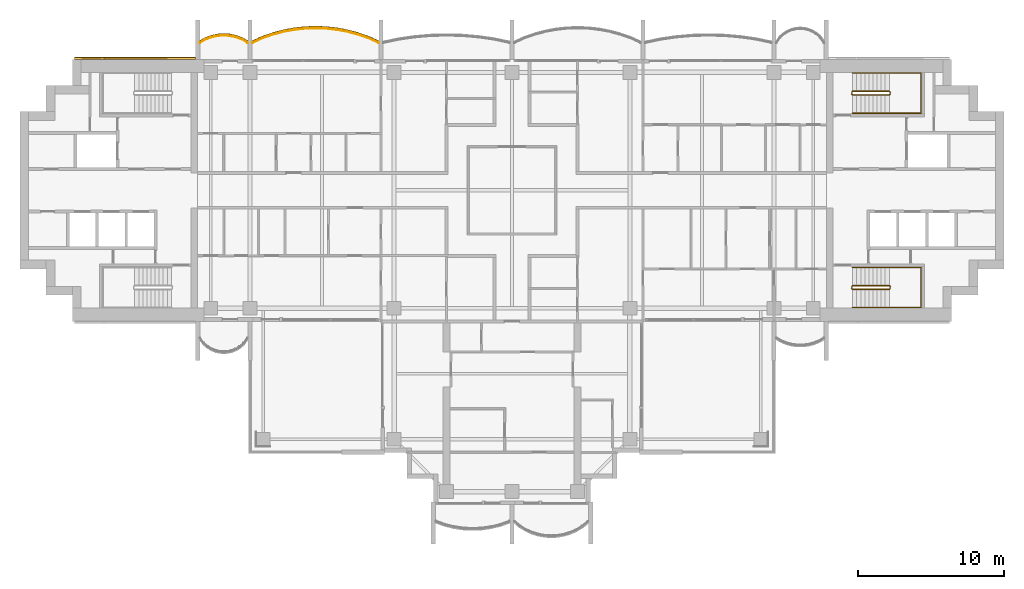
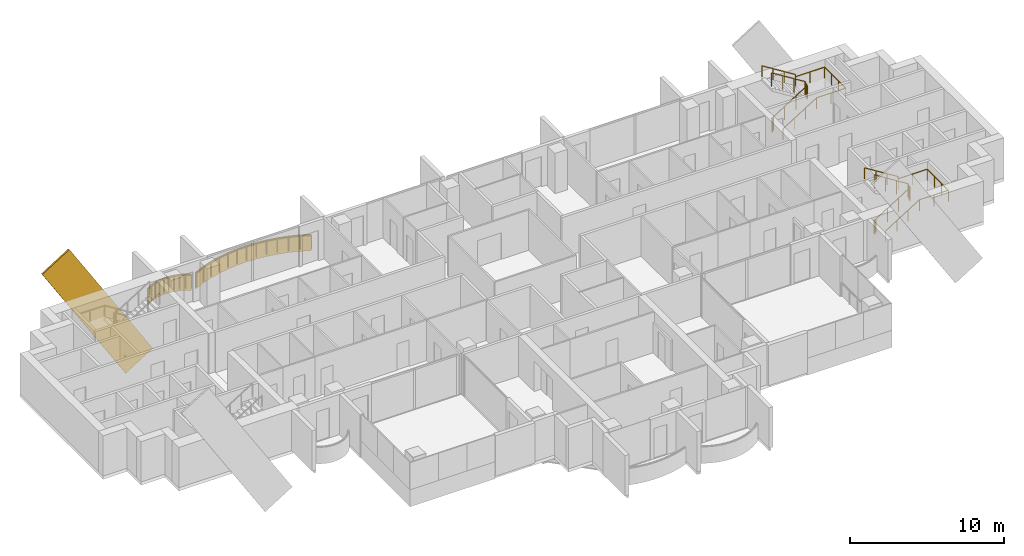
# One storey, part 17 of 18: 6 railings, 3 coverings.
"""IFC4 building model written with IfcOpenShell, lengths in metres."""

from ifc_helpers import new_model, si_unit, direction, frame, origin, origin_2d, place, context, subcontext, project, spatial, polyline, rectangle, outline, extrude, material, layer, layer_set, material_profile, profile_set, type_object, element, save


model = new_model("IFC4")

# Units and contexts
model_context = context("Model", 3, precision=1e-05, world=origin(), true_north=direction((0.0, 1.0)))
body_context = subcontext(model_context, "Body", "Model", "MODEL_VIEW")
ifc_project = project(units=[si_unit("LENGTHUNIT", "METRE"), si_unit("AREAUNIT", "SQUARE_METRE"), si_unit("VOLUMEUNIT", "CUBIC_METRE"), si_unit("PLANEANGLEUNIT", "RADIAN"), si_unit("MASSUNIT", "GRAM", prefix="KILO")], contexts=[model_context])

# Site, building, storey
site_placement = place(None, origin())
site = spatial("IfcSite", under=ifc_project, at=site_placement, CompositionType="ELEMENT")
building_placement = place(site_placement, origin())
building = spatial("IfcBuilding", under=site, at=building_placement, Name="Perihelion Cross Residences", CompositionType="ELEMENT")
storey_placement = place(building_placement, frame((0.0, 0.0, 219.10009765625)))
storey = spatial("IfcBuildingStorey", under=building, at=storey_placement, Name="L55", CompositionType="ELEMENT", Elevation=219.10009765625)

# Coverings
ifc_material_1 = material(Name="Bronze anodised aluminium", Category="aluminium")
ifc_layer = layer(ifc_material_1, 0.070068359375)
ifc_layer_set = layer_set([ifc_layer], Name="Balcony fascia 1300")
covering_type_1 = type_object("IfcCoveringType", Name="Balcony fascia 1300", PredefinedType="CLADDING", material=ifc_layer_set)
covering_1_placement = place(storey_placement, frame((0.0, 0.0, -0.2001953125)))
element("IfcCovering", 1, at=covering_1_placement, inside=storey, type_object=covering_type_1, Name="Fascia BF1 L55 west side north bay 1", PredefinedType="CLADDING", context=body_context, shape_type="SweptSolid", body=[
    extrude(outline(polyline([(-9.849365234375, 10.582275390625), (-10.57958984375, 10.83544921875), (-11.309814453125, 11.028076171875), (-12.039794921875, 11.1630859375), (-12.77001953125, 11.243408203125), (-13.5, 11.27001953125), (-14.22998046875, 11.243408203125), (-14.960205078125, 11.1630859375), (-15.690185546875, 11.028076171875), (-16.42041015625, 10.83544921875), (-17.150634765625, 10.582275390625), (-17.85009765625, 10.2763671875), (-17.85009765625, 10.199951171875), (-17.125, 10.51708984375), (-16.39990234375, 10.7685546875), (-15.675048828125, 10.959716796875), (-14.949951171875, 11.093994140625), (-14.22509765625, 11.173583984375), (-13.5, 11.199951171875), (-12.77490234375, 11.173583984375), (-12.050048828125, 11.093994140625), (-11.324951171875, 10.959716796875), (-10.60009765625, 10.7685546875), (-9.875, 10.51708984375), (-9.14990234375, 10.199951171875), (-9.14990234375, 10.2763671875), (-9.849365234375, 10.582275390625)])), origin(), (0.0, 0.0, 1.0), 1.300048828125),
])
covering_2_placement = place(storey_placement, frame((0.0, 0.0, -0.2001953125)))
element("IfcCovering", 2, at=covering_2_placement, inside=storey, type_object=covering_type_1, Name="Fascia BF1 L55 west side north bay 2", PredefinedType="CLADDING", context=body_context, shape_type="SweptSolid", body=[
    extrude(outline(polyline([(-18.486328125, 10.4716796875), (-18.861572265625, 10.62158203125), (-19.237060546875, 10.717529296875), (-19.6123046875, 10.76416015625), (-19.987548828125, 10.76416015625), (-20.363037109375, 10.717529296875), (-20.73828125, 10.62158203125), (-21.11376953125, 10.4716796875), (-21.449951171875, 10.280517578125), (-21.449951171875, 10.199951171875), (-21.083251953125, 10.40869140625), (-20.716552734375, 10.55517578125), (-20.35009765625, 10.648681640625), (-19.9833984375, 10.6943359375), (-19.61669921875, 10.6943359375), (-19.25, 10.648681640625), (-18.88330078125, 10.55517578125), (-18.5166015625, 10.40869140625), (-18.14990234375, 10.199951171875), (-18.14990234375, 10.280517578125), (-18.486328125, 10.4716796875)])), origin(), (0.0, 0.0, 1.0), 1.300048828125),
])

# Railings
ifc_material_2 = material(Name="Bronze anodised aluminium", Category="aluminium")
railing_type_1 = type_object("IfcRailingType", Name="Balcony guard 1100", PredefinedType="GUARDRAIL", material=ifc_material_2)
railing_1_placement = place(storey_placement, frame((-9.175048828125, 10.139892578125, 0.0)))
element("IfcRailing", 3, at=railing_1_placement, inside=storey, type_object=railing_type_1, Name="Guard GU1 L55 west side north bay 1 balcony", PredefinedType="GUARDRAIL", context=body_context, shape_type="SweptSolid", body=[
    extrude(rectangle(XDim=0.048095703125, YDim=0.048095703125, at=origin_2d()), frame((0.0, 0.0, 1.076171875), z_axis=(-0.910866309087, 0.412701547089, 0.0), x_axis=(-0.412701547089, -0.910866309087, 0.0)), (0.0, 0.0, 1.0), 0.7685546875),
    extrude(rectangle(XDim=0.048095703125, YDim=0.048095703125, at=origin_2d()), frame((-0.699951171875, 0.317138671875, 1.076171875), z_axis=(-0.944796812452, 0.327656807012, 0.0), x_axis=(-0.327656807012, -0.944796812452, 0.0)), (0.0, 0.0, 1.0), 0.767578125),
    extrude(rectangle(XDim=0.048095703125, YDim=0.048095703125, at=origin_2d()), frame((-1.425048828125, 0.568603515625, 1.076171875), z_axis=(-0.966939404945, 0.255006249266, 0.0), x_axis=(-0.255006249266, -0.966939404945, 0.0)), (0.0, 0.0, 1.0), 0.749755859375),
    extrude(rectangle(XDim=0.048095703125, YDim=0.048095703125, at=origin_2d()), frame((-2.14990234375, 0.759765625, 1.076171875), z_axis=(-0.983282004984, 0.182089260182, 0.0), x_axis=(-0.182089260182, -0.983282004984, 0.0)), (0.0, 0.0, 1.0), 0.7373046875),
    extrude(rectangle(XDim=0.048095703125, YDim=0.048095703125, at=origin_2d()), frame((-2.875, 0.89404296875, 1.076171875), z_axis=(-0.994025805622, 0.109145305703, 0.0), x_axis=(-0.109145305703, -0.994025805622, 0.0)), (0.0, 0.0, 1.0), 0.729248046875),
    extrude(rectangle(XDim=0.048095703125, YDim=0.048095703125, at=origin_2d()), frame((-3.599853515625, 0.9736328125, 1.076171875), z_axis=(-0.999339497946, 0.036339618107, 0.0), x_axis=(-0.036339618107, -0.999339497946, 0.0)), (0.0, 0.0, 1.0), 0.7255859375),
    extrude(rectangle(XDim=0.048095703125, YDim=0.048095703125, at=origin_2d()), frame((-4.324951171875, 1.0, 1.076171875), z_axis=(-0.999339497946, -0.036339618107, 0.0), x_axis=(0.036339618107, -0.999339497946, 0.0)), (0.0, 0.0, 1.0), 0.7255859375),
    extrude(rectangle(XDim=0.048095703125, YDim=0.048095703125, at=origin_2d()), frame((-5.050048828125, 0.9736328125, 1.076171875), z_axis=(-0.994025805622, -0.109145305703, 0.0), x_axis=(0.109145305703, -0.994025805622, 0.0)), (0.0, 0.0, 1.0), 0.729248046875),
    extrude(rectangle(XDim=0.048095703125, YDim=0.048095703125, at=origin_2d()), frame((-5.77490234375, 0.89404296875, 1.076171875), z_axis=(-0.983282004984, -0.182089260182, 0.0), x_axis=(0.182089260182, -0.983282004984, 0.0)), (0.0, 0.0, 1.0), 0.7373046875),
    extrude(rectangle(XDim=0.048095703125, YDim=0.048095703125, at=origin_2d()), frame((-6.5, 0.759765625, 1.076171875), z_axis=(-0.966939404945, -0.255006249266, 0.0), x_axis=(0.255006249266, -0.966939404945, 0.0)), (0.0, 0.0, 1.0), 0.749755859375),
    extrude(rectangle(XDim=0.048095703125, YDim=0.048095703125, at=origin_2d()), frame((-7.224853515625, 0.568603515625, 1.076171875), z_axis=(-0.944796812452, -0.327656807012, 0.0), x_axis=(0.327656807012, -0.944796812452, 0.0)), (0.0, 0.0, 1.0), 0.767578125),
    extrude(rectangle(XDim=0.048095703125, YDim=0.048095703125, at=origin_2d()), frame((-7.949951171875, 0.317138671875, 1.076171875), z_axis=(-0.910866309087, -0.412701547089, 0.0), x_axis=(0.412701547089, -0.910866309087, 0.0)), (0.0, 0.0, 1.0), 0.7685546875),
    extrude(rectangle(XDim=0.0419921875, YDim=0.0419921875, at=origin_2d()), origin(), (0.0, 0.0, 1.0), 1.052001953125),
    extrude(rectangle(XDim=0.0419921875, YDim=0.0419921875, at=origin_2d()), frame((-0.699951171875, 0.317138671875, 0.0)), (0.0, 0.0, 1.0), 1.052001953125),
    extrude(rectangle(XDim=0.0419921875, YDim=0.0419921875, at=origin_2d()), frame((-1.425048828125, 0.568603515625, 0.0)), (0.0, 0.0, 1.0), 1.052001953125),
    extrude(rectangle(XDim=0.0419921875, YDim=0.0419921875, at=origin_2d()), frame((-2.14990234375, 0.759765625, 0.0)), (0.0, 0.0, 1.0), 1.052001953125),
    extrude(rectangle(XDim=0.0419921875, YDim=0.0419921875, at=origin_2d()), frame((-2.875, 0.89404296875, 0.0)), (0.0, 0.0, 1.0), 1.052001953125),
    extrude(rectangle(XDim=0.0419921875, YDim=0.0419921875, at=origin_2d()), frame((-3.599853515625, 0.9736328125, 0.0)), (0.0, 0.0, 1.0), 1.052001953125),
    extrude(rectangle(XDim=0.0419921875, YDim=0.0419921875, at=origin_2d()), frame((-4.324951171875, 1.0, 0.0)), (0.0, 0.0, 1.0), 1.052001953125),
    extrude(rectangle(XDim=0.0419921875, YDim=0.0419921875, at=origin_2d()), frame((-5.050048828125, 0.9736328125, 0.0)), (0.0, 0.0, 1.0), 1.052001953125),
    extrude(rectangle(XDim=0.0419921875, YDim=0.0419921875, at=origin_2d()), frame((-5.77490234375, 0.89404296875, 0.0)), (0.0, 0.0, 1.0), 1.052001953125),
    extrude(rectangle(XDim=0.0419921875, YDim=0.0419921875, at=origin_2d()), frame((-6.5, 0.759765625, 0.0)), (0.0, 0.0, 1.0), 1.052001953125),
    extrude(rectangle(XDim=0.0419921875, YDim=0.0419921875, at=origin_2d()), frame((-7.224853515625, 0.568603515625, 0.0)), (0.0, 0.0, 1.0), 1.052001953125),
    extrude(rectangle(XDim=0.0419921875, YDim=0.0419921875, at=origin_2d()), frame((-7.949951171875, 0.317138671875, 0.0)), (0.0, 0.0, 1.0), 1.052001953125),
    extrude(rectangle(XDim=0.0419921875, YDim=0.0419921875, at=origin_2d()), frame((-8.64990234375, 0.0, 0.0)), (0.0, 0.0, 1.0), 1.052001953125),
])
railing_2_placement = place(storey_placement, frame((-18.175048828125, 10.139892578125, 0.0)))
element("IfcRailing", 4, at=railing_2_placement, inside=storey, type_object=railing_type_1, Name="Guard GU1 L55 west side north bay 2 balcony", PredefinedType="GUARDRAIL", context=body_context, shape_type="SweptSolid", body=[
    extrude(rectangle(XDim=0.048095703125, YDim=0.048095703125, at=origin_2d()), frame((0.0, 0.0, 1.076171875), z_axis=(-0.853266756821, 0.52147467983, 0.0), x_axis=(-0.52147467983, -0.853266756821, 0.0)), (0.0, 0.0, 1.0), 0.400390625),
    extrude(rectangle(XDim=0.048095703125, YDim=0.048095703125, at=origin_2d()), frame((-0.341552734375, 0.208740234375, 1.076171875), z_axis=(-0.928647151248, 0.37096424151, 0.0), x_axis=(-0.37096424151, -0.928647151248, 0.0)), (0.0, 0.0, 1.0), 0.394775390625),
    extrude(rectangle(XDim=0.048095703125, YDim=0.048095703125, at=origin_2d()), frame((-0.708251953125, 0.355224609375, 1.076171875), z_axis=(-0.968993337782, 0.247086849781, 0.0), x_axis=(-0.247086849781, -0.968993337782, 0.0)), (0.0, 0.0, 1.0), 0.37841796875),
    extrude(rectangle(XDim=0.048095703125, YDim=0.048095703125, at=origin_2d()), frame((-1.074951171875, 0.44873046875, 1.076171875), z_axis=(-0.992338742457, 0.123546834114, 0.0), x_axis=(-0.123546834114, -0.992338742457, 0.0)), (0.0, 0.0, 1.0), 0.36962890625),
    extrude(rectangle(XDim=0.048095703125, YDim=0.048095703125, at=origin_2d()), frame((-1.441650390625, 0.494384765625, 1.076171875), z_axis=(-1.0, 0.0, 0.0), x_axis=(0.0, -1.0, 0.0)), (0.0, 0.0, 1.0), 0.36669921875),
    extrude(rectangle(XDim=0.048095703125, YDim=0.048095703125, at=origin_2d()), frame((-1.808349609375, 0.494384765625, 1.076171875), z_axis=(-0.992338742457, -0.123546834114, 0.0), x_axis=(0.123546834114, -0.992338742457, 0.0)), (0.0, 0.0, 1.0), 0.36962890625),
    extrude(rectangle(XDim=0.048095703125, YDim=0.048095703125, at=origin_2d()), frame((-2.175048828125, 0.44873046875, 1.076171875), z_axis=(-0.968953914071, -0.247241405123, 0.0), x_axis=(0.247241405123, -0.968953914071, 0.0)), (0.0, 0.0, 1.0), 0.378173828125),
    extrude(rectangle(XDim=0.048095703125, YDim=0.048095703125, at=origin_2d()), frame((-2.54150390625, 0.355224609375, 1.076171875), z_axis=(-0.928647151248, -0.37096424151, 0.0), x_axis=(0.37096424151, -0.928647151248, 0.0)), (0.0, 0.0, 1.0), 0.394775390625),
    extrude(rectangle(XDim=0.048095703125, YDim=0.048095703125, at=origin_2d()), frame((-2.908203125, 0.208740234375, 1.076171875), z_axis=(-0.853432484338, -0.521203410078, 0.0), x_axis=(0.521203410078, -0.853432484338, 0.0)), (0.0, 0.0, 1.0), 0.400390625),
    extrude(rectangle(XDim=0.0419921875, YDim=0.0419921875, at=origin_2d()), origin(), (0.0, 0.0, 1.0), 1.052001953125),
    extrude(rectangle(XDim=0.0419921875, YDim=0.0419921875, at=origin_2d()), frame((-0.341552734375, 0.208740234375, 0.0)), (0.0, 0.0, 1.0), 1.052001953125),
    extrude(rectangle(XDim=0.0419921875, YDim=0.0419921875, at=origin_2d()), frame((-0.708251953125, 0.355224609375, 0.0)), (0.0, 0.0, 1.0), 1.052001953125),
    extrude(rectangle(XDim=0.0419921875, YDim=0.0419921875, at=origin_2d()), frame((-1.074951171875, 0.44873046875, 0.0)), (0.0, 0.0, 1.0), 1.052001953125),
    extrude(rectangle(XDim=0.0419921875, YDim=0.0419921875, at=origin_2d()), frame((-1.441650390625, 0.494384765625, 0.0)), (0.0, 0.0, 1.0), 1.052001953125),
    extrude(rectangle(XDim=0.0419921875, YDim=0.0419921875, at=origin_2d()), frame((-1.808349609375, 0.494384765625, 0.0)), (0.0, 0.0, 1.0), 1.052001953125),
    extrude(rectangle(XDim=0.0419921875, YDim=0.0419921875, at=origin_2d()), frame((-2.175048828125, 0.44873046875, 0.0)), (0.0, 0.0, 1.0), 1.052001953125),
    extrude(rectangle(XDim=0.0419921875, YDim=0.0419921875, at=origin_2d()), frame((-2.54150390625, 0.355224609375, 0.0)), (0.0, 0.0, 1.0), 1.052001953125),
    extrude(rectangle(XDim=0.0419921875, YDim=0.0419921875, at=origin_2d()), frame((-2.908203125, 0.208740234375, 0.0)), (0.0, 0.0, 1.0), 1.052001953125),
    extrude(rectangle(XDim=0.0419921875, YDim=0.0419921875, at=origin_2d()), frame((-3.25, 0.0, 0.0)), (0.0, 0.0, 1.0), 1.052001953125),
])

# Covering
ifc_material_3 = material(Name="Bronze anodised aluminium", Category="aluminium")
ifc_material_profile = material_profile(ifc_material_3, rectangle(XDim=0.125, YDim=2.39990234375, at=origin_2d()), Name="Bronze cladding band 2400")
ifc_profile_set = profile_set([ifc_material_profile], Name="Bronze anodised aluminium")
covering_type_2 = type_object("IfcCoveringType", Name="Bronze cladding band 2400", PredefinedType="CLADDING", material=ifc_profile_set)
covering_3_placement = place(storey_placement, frame((-22.767578125, 9.0625, -3.438232421875), z_axis=(-0.529924684379, 0.0, 0.848044709249), x_axis=(0.0, -1.0, 0.0)))
element("IfcCovering", 5, at=covering_3_placement, inside=storey, type_object=covering_type_2, Name="Core cladding band, west core", PredefinedType="CLADDING", context=body_context, shape_type="SweptSolid", body=[
    extrude(rectangle(XDim=0.125, YDim=2.39990234375, at=origin_2d()), origin(), (0.0, 0.0, 1.0), 11.82177734375),
])

# Railings
ifc_material_4 = material(Name="Stainless steel", Category="steel")
railing_type_2 = type_object("IfcRailingType", Name="Stair guard 1100", PredefinedType="GUARDRAIL", material=ifc_material_4)
railing_3_placement = place(storey_placement, frame((23.35009765625, 6.75, 0.0)))
element("IfcRailing", 6, at=railing_3_placement, inside=storey, type_object=railing_type_2, Name="L55 ST-E1 stair guard 1", PredefinedType="GUARDRAIL", context=body_context, shape_type="SweptSolid", body=[
    extrude(rectangle(XDim=0.048095703125, YDim=0.048095703125, at=origin_2d()), frame((0.0, 0.0, 1.076171875), z_axis=(0.0, -1.0, 0.0), x_axis=(1.0, 0.0, 0.0)), (0.0, 0.0, 1.0), 0.14990234375),
    extrude(rectangle(XDim=0.048095703125, YDim=0.048095703125, at=origin_2d()), frame((0.0, -0.14990234375, 1.076171875), z_axis=(0.264179342666, -0.265474339444, 0.927217692888), x_axis=(0.708833529934, 0.705375805398, 0.0)), (0.0, 0.0, 1.0), 0.1884765625),
    extrude(rectangle(XDim=0.048095703125, YDim=0.048095703125, at=origin_2d()), frame((0.0498046875, -0.199951171875, 1.2509765625), z_axis=(0.847970611238, 0.0, 0.530043245855), x_axis=(0.0, 1.0, 0.0)), (0.0, 0.0, 1.0), 2.971923828125),
    extrude(rectangle(XDim=0.048095703125, YDim=0.048095703125, at=origin_2d()), frame((2.56982421875, -0.199951171875, 2.826171875), z_axis=(0.707106781187, 0.707106781187, 0.0), x_axis=(-0.707106781187, 0.707106781187, 0.0)), (0.0, 0.0, 1.0), 0.07080078125),
    extrude(rectangle(XDim=0.048095703125, YDim=0.048095703125, at=origin_2d()), frame((2.619873046875, -0.14990234375, 2.826171875), z_axis=(0.0, 1.0, 0.0), x_axis=(-1.0, 0.0, 0.0)), (0.0, 0.0, 1.0), 0.14990234375),
    extrude(rectangle(XDim=0.048095703125, YDim=0.048095703125, at=origin_2d()), frame((2.619873046875, 0.0, 2.826171875), z_axis=(-0.265383341853, 0.265383341853, 0.926899867156), x_axis=(-0.707106781187, -0.707106781187, 0.0)), (0.0, 0.0, 1.0), 0.1884765625),
    extrude(rectangle(XDim=0.048095703125, YDim=0.048095703125, at=origin_2d()), frame((2.56982421875, 0.050048828125, 3.0009765625), z_axis=(-0.847970611238, 0.0, 0.530043245855), x_axis=(0.0, -1.0, 0.0)), (0.0, 0.0, 1.0), 2.971923828125),
    extrude(rectangle(XDim=0.0419921875, YDim=0.0419921875, at=origin_2d()), origin(), (0.0, 0.0, 1.0), 1.052001953125),
    extrude(rectangle(XDim=0.0419921875, YDim=0.0419921875, at=origin_2d()), frame((0.0, -0.14990234375, 0.0)), (0.0, 0.0, 1.0), 1.052001953125),
    extrude(rectangle(XDim=0.0419921875, YDim=0.0419921875, at=origin_2d()), frame((0.0498046875, -0.199951171875, 0.1748046875)), (0.0, 0.0, 1.0), 1.052001953125),
    extrude(rectangle(XDim=0.0419921875, YDim=0.0419921875, at=origin_2d()), frame((0.889892578125, -0.199951171875, 0.699951171875)), (0.0, 0.0, 1.0), 1.052001953125),
    extrude(rectangle(XDim=0.0419921875, YDim=0.0419921875, at=origin_2d()), frame((1.729736328125, -0.199951171875, 1.224853515625)), (0.0, 0.0, 1.0), 1.052001953125),
    extrude(rectangle(XDim=0.0419921875, YDim=0.0419921875, at=origin_2d()), frame((2.56982421875, -0.199951171875, 1.75)), (0.0, 0.0, 1.0), 1.052001953125),
    extrude(rectangle(XDim=0.0419921875, YDim=0.0419921875, at=origin_2d()), frame((2.619873046875, -0.14990234375, 1.75)), (0.0, 0.0, 1.0), 1.052001953125),
    extrude(rectangle(XDim=0.0419921875, YDim=0.0419921875, at=origin_2d()), frame((2.619873046875, 0.0, 1.75)), (0.0, 0.0, 1.0), 1.052001953125),
    extrude(rectangle(XDim=0.0419921875, YDim=0.0419921875, at=origin_2d()), frame((2.56982421875, 0.050048828125, 1.9248046875)), (0.0, 0.0, 1.0), 1.052001953125),
    extrude(rectangle(XDim=0.0419921875, YDim=0.0419921875, at=origin_2d()), frame((1.729736328125, 0.050048828125, 2.449951171875)), (0.0, 0.0, 1.0), 1.052001953125),
    extrude(rectangle(XDim=0.0419921875, YDim=0.0419921875, at=origin_2d()), frame((0.889892578125, 0.050048828125, 2.974853515625)), (0.0, 0.0, 1.0), 1.052001953125),
    extrude(rectangle(XDim=0.0419921875, YDim=0.0419921875, at=origin_2d()), frame((0.0498046875, 0.050048828125, 3.5)), (0.0, 0.0, 1.0), 1.052001953125),
])
railing_4_placement = place(storey_placement, frame((23.35009765625, -6.60009765625, 0.0)))
element("IfcRailing", 7, at=railing_4_placement, inside=storey, type_object=railing_type_2, Name="L55 ST-E2 stair guard 1", PredefinedType="GUARDRAIL", context=body_context, shape_type="SweptSolid", body=[
    extrude(rectangle(XDim=0.048095703125, YDim=0.048095703125, at=origin_2d()), frame((0.0, 0.0, 1.076171875), z_axis=(0.0, -1.0, 0.0), x_axis=(1.0, 0.0, 0.0)), (0.0, 0.0, 1.0), 0.14990234375),
    extrude(rectangle(XDim=0.048095703125, YDim=0.048095703125, at=origin_2d()), frame((0.0, -0.14990234375, 1.076171875), z_axis=(0.264179342666, -0.265474339444, 0.927217692888), x_axis=(0.708833529934, 0.705375805398, 0.0)), (0.0, 0.0, 1.0), 0.1884765625),
    extrude(rectangle(XDim=0.048095703125, YDim=0.048095703125, at=origin_2d()), frame((0.0498046875, -0.199951171875, 1.2509765625), z_axis=(0.847970611238, 0.0, 0.530043245855), x_axis=(0.0, 1.0, 0.0)), (0.0, 0.0, 1.0), 2.971923828125),
    extrude(rectangle(XDim=0.048095703125, YDim=0.048095703125, at=origin_2d()), frame((2.56982421875, -0.199951171875, 2.826171875), z_axis=(0.707106781187, 0.707106781187, 0.0), x_axis=(-0.707106781187, 0.707106781187, 0.0)), (0.0, 0.0, 1.0), 0.07080078125),
    extrude(rectangle(XDim=0.048095703125, YDim=0.048095703125, at=origin_2d()), frame((2.619873046875, -0.14990234375, 2.826171875), z_axis=(0.0, 1.0, 0.0), x_axis=(-1.0, 0.0, 0.0)), (0.0, 0.0, 1.0), 0.14990234375),
    extrude(rectangle(XDim=0.048095703125, YDim=0.048095703125, at=origin_2d()), frame((2.619873046875, 0.0, 2.826171875), z_axis=(-0.265383341853, 0.265383341853, 0.926899867156), x_axis=(-0.707106781187, -0.707106781187, 0.0)), (0.0, 0.0, 1.0), 0.1884765625),
    extrude(rectangle(XDim=0.048095703125, YDim=0.048095703125, at=origin_2d()), frame((2.56982421875, 0.050048828125, 3.0009765625), z_axis=(-0.847970611238, 0.0, 0.530043245855), x_axis=(0.0, -1.0, 0.0)), (0.0, 0.0, 1.0), 2.971923828125),
    extrude(rectangle(XDim=0.0419921875, YDim=0.0419921875, at=origin_2d()), origin(), (0.0, 0.0, 1.0), 1.052001953125),
    extrude(rectangle(XDim=0.0419921875, YDim=0.0419921875, at=origin_2d()), frame((0.0, -0.14990234375, 0.0)), (0.0, 0.0, 1.0), 1.052001953125),
    extrude(rectangle(XDim=0.0419921875, YDim=0.0419921875, at=origin_2d()), frame((0.0498046875, -0.199951171875, 0.1748046875)), (0.0, 0.0, 1.0), 1.052001953125),
    extrude(rectangle(XDim=0.0419921875, YDim=0.0419921875, at=origin_2d()), frame((0.889892578125, -0.199951171875, 0.699951171875)), (0.0, 0.0, 1.0), 1.052001953125),
    extrude(rectangle(XDim=0.0419921875, YDim=0.0419921875, at=origin_2d()), frame((1.729736328125, -0.199951171875, 1.224853515625)), (0.0, 0.0, 1.0), 1.052001953125),
    extrude(rectangle(XDim=0.0419921875, YDim=0.0419921875, at=origin_2d()), frame((2.56982421875, -0.199951171875, 1.75)), (0.0, 0.0, 1.0), 1.052001953125),
    extrude(rectangle(XDim=0.0419921875, YDim=0.0419921875, at=origin_2d()), frame((2.619873046875, -0.14990234375, 1.75)), (0.0, 0.0, 1.0), 1.052001953125),
    extrude(rectangle(XDim=0.0419921875, YDim=0.0419921875, at=origin_2d()), frame((2.619873046875, 0.0, 1.75)), (0.0, 0.0, 1.0), 1.052001953125),
    extrude(rectangle(XDim=0.0419921875, YDim=0.0419921875, at=origin_2d()), frame((2.56982421875, 0.050048828125, 1.9248046875)), (0.0, 0.0, 1.0), 1.052001953125),
    extrude(rectangle(XDim=0.0419921875, YDim=0.0419921875, at=origin_2d()), frame((1.729736328125, 0.050048828125, 2.449951171875)), (0.0, 0.0, 1.0), 1.052001953125),
    extrude(rectangle(XDim=0.0419921875, YDim=0.0419921875, at=origin_2d()), frame((0.889892578125, 0.050048828125, 2.974853515625)), (0.0, 0.0, 1.0), 1.052001953125),
    extrude(rectangle(XDim=0.0419921875, YDim=0.0419921875, at=origin_2d()), frame((0.0498046875, 0.050048828125, 3.5)), (0.0, 0.0, 1.0), 1.052001953125),
])
ifc_material_5 = material(Name="Stainless steel", Category="steel")
railing_type_3 = type_object("IfcRailingType", Name="Stair handrail 900", PredefinedType="HANDRAIL", material=ifc_material_5)
railing_5_placement = place(storey_placement, frame((23.39990234375, 5.300048828125, 0.1748046875)))
element("IfcRailing", 8, at=railing_5_placement, inside=storey, type_object=railing_type_3, Name="L55 ST-E1 stair handrail 1", PredefinedType="HANDRAIL", context=body_context, shape_type="SweptSolid", body=[
    extrude(rectangle(XDim=0.048095703125, YDim=0.048095703125, at=origin_2d()), frame((0.0, 0.0, 0.8759765625), z_axis=(0.847970611238, 0.0, 0.530043245855), x_axis=(0.0, 1.0, 0.0)), (0.0, 0.0, 1.0), 2.971923828125),
    extrude(rectangle(XDim=0.048095703125, YDim=0.048095703125, at=origin_2d()), frame((2.52001953125, 0.0, 2.451171875), z_axis=(1.0, 0.0, 0.0), x_axis=(0.0, 1.0, 0.0)), (0.0, 0.0, 1.0), 2.18017578125),
    extrude(rectangle(XDim=0.048095703125, YDim=0.048095703125, at=origin_2d()), frame((4.7001953125, 0.0, 2.451171875), z_axis=(0.0, 1.0, 0.0), x_axis=(-1.0, 0.0, 0.0)), (0.0, 0.0, 1.0), 2.75),
    extrude(rectangle(XDim=0.048095703125, YDim=0.048095703125, at=origin_2d()), frame((4.7001953125, 2.75, 2.451171875), z_axis=(-1.0, 0.0, 0.0), x_axis=(0.0, -1.0, 0.0)), (0.0, 0.0, 1.0), 2.18017578125),
    extrude(rectangle(XDim=0.048095703125, YDim=0.048095703125, at=origin_2d()), frame((2.52001953125, 2.75, 2.451171875), z_axis=(0.0, 0.0, 1.0), x_axis=(1.0, 0.0, 0.0)), (0.0, 0.0, 1.0), 0.1748046875),
    extrude(rectangle(XDim=0.048095703125, YDim=0.048095703125, at=origin_2d()), frame((2.52001953125, 2.75, 2.6259765625), z_axis=(-0.847970611238, 0.0, 0.530043245855), x_axis=(0.0, -1.0, 0.0)), (0.0, 0.0, 1.0), 2.971923828125),
    extrude(rectangle(XDim=0.0419921875, YDim=0.0419921875, at=origin_2d()), origin(), (0.0, 0.0, 1.0), 0.851806640625),
    extrude(rectangle(XDim=0.0419921875, YDim=0.0419921875, at=origin_2d()), frame((0.840087890625, 0.0, 0.525146484375)), (0.0, 0.0, 1.0), 0.851806640625),
    extrude(rectangle(XDim=0.0419921875, YDim=0.0419921875, at=origin_2d()), frame((1.679931640625, 0.0, 1.050048828125)), (0.0, 0.0, 1.0), 0.851806640625),
    extrude(rectangle(XDim=0.0419921875, YDim=0.0419921875, at=origin_2d()), frame((2.52001953125, 0.0, 1.5751953125)), (0.0, 0.0, 1.0), 0.851806640625),
    extrude(rectangle(XDim=0.0419921875, YDim=0.0419921875, at=origin_2d()), frame((3.610107421875, 0.0, 1.5751953125)), (0.0, 0.0, 1.0), 0.851806640625),
    extrude(rectangle(XDim=0.0419921875, YDim=0.0419921875, at=origin_2d()), frame((4.7001953125, 0.0, 1.5751953125)), (0.0, 0.0, 1.0), 0.851806640625),
    extrude(rectangle(XDim=0.0419921875, YDim=0.0419921875, at=origin_2d()), frame((4.7001953125, 0.916748046875, 1.5751953125)), (0.0, 0.0, 1.0), 0.851806640625),
    extrude(rectangle(XDim=0.0419921875, YDim=0.0419921875, at=origin_2d()), frame((4.7001953125, 1.833251953125, 1.5751953125)), (0.0, 0.0, 1.0), 0.851806640625),
    extrude(rectangle(XDim=0.0419921875, YDim=0.0419921875, at=origin_2d()), frame((4.7001953125, 2.75, 1.5751953125)), (0.0, 0.0, 1.0), 0.851806640625),
    extrude(rectangle(XDim=0.0419921875, YDim=0.0419921875, at=origin_2d()), frame((3.610107421875, 2.75, 1.5751953125)), (0.0, 0.0, 1.0), 0.851806640625),
    extrude(rectangle(XDim=0.0419921875, YDim=0.0419921875, at=origin_2d()), frame((2.52001953125, 2.75, 1.5751953125)), (0.0, 0.0, 1.0), 0.851806640625),
    extrude(rectangle(XDim=0.0419921875, YDim=0.0419921875, at=origin_2d()), frame((2.52001953125, 2.75, 1.75)), (0.0, 0.0, 1.0), 0.851806640625),
    extrude(rectangle(XDim=0.0419921875, YDim=0.0419921875, at=origin_2d()), frame((1.679931640625, 2.75, 2.275146484375)), (0.0, 0.0, 1.0), 0.851806640625),
    extrude(rectangle(XDim=0.0419921875, YDim=0.0419921875, at=origin_2d()), frame((0.840087890625, 2.75, 2.800048828125)), (0.0, 0.0, 1.0), 0.851806640625),
    extrude(rectangle(XDim=0.0419921875, YDim=0.0419921875, at=origin_2d()), frame((0.0, 2.75, 3.3251953125)), (0.0, 0.0, 1.0), 0.851806640625),
])
railing_6_placement = place(storey_placement, frame((23.39990234375, -8.050048828125, 0.1748046875)))
element("IfcRailing", 9, at=railing_6_placement, inside=storey, type_object=railing_type_3, Name="L55 ST-E2 stair handrail 1", PredefinedType="HANDRAIL", context=body_context, shape_type="SweptSolid", body=[
    extrude(rectangle(XDim=0.048095703125, YDim=0.048095703125, at=origin_2d()), frame((0.0, 0.0, 0.8759765625), z_axis=(0.847970611238, 0.0, 0.530043245855), x_axis=(0.0, 1.0, 0.0)), (0.0, 0.0, 1.0), 2.971923828125),
    extrude(rectangle(XDim=0.048095703125, YDim=0.048095703125, at=origin_2d()), frame((2.52001953125, 0.0, 2.451171875), z_axis=(1.0, 0.0, 0.0), x_axis=(0.0, 1.0, 0.0)), (0.0, 0.0, 1.0), 2.18017578125),
    extrude(rectangle(XDim=0.048095703125, YDim=0.048095703125, at=origin_2d()), frame((4.7001953125, 0.0, 2.451171875), z_axis=(0.0, 1.0, 0.0), x_axis=(-1.0, 0.0, 0.0)), (0.0, 0.0, 1.0), 2.75),
    extrude(rectangle(XDim=0.048095703125, YDim=0.048095703125, at=origin_2d()), frame((4.7001953125, 2.75, 2.451171875), z_axis=(-1.0, 0.0, 0.0), x_axis=(0.0, -1.0, 0.0)), (0.0, 0.0, 1.0), 2.18017578125),
    extrude(rectangle(XDim=0.048095703125, YDim=0.048095703125, at=origin_2d()), frame((2.52001953125, 2.75, 2.451171875), z_axis=(0.0, 0.0, 1.0), x_axis=(1.0, 0.0, 0.0)), (0.0, 0.0, 1.0), 0.1748046875),
    extrude(rectangle(XDim=0.048095703125, YDim=0.048095703125, at=origin_2d()), frame((2.52001953125, 2.75, 2.6259765625), z_axis=(-0.847970611238, 0.0, 0.530043245855), x_axis=(0.0, -1.0, 0.0)), (0.0, 0.0, 1.0), 2.971923828125),
    extrude(rectangle(XDim=0.0419921875, YDim=0.0419921875, at=origin_2d()), origin(), (0.0, 0.0, 1.0), 0.851806640625),
    extrude(rectangle(XDim=0.0419921875, YDim=0.0419921875, at=origin_2d()), frame((0.840087890625, 0.0, 0.525146484375)), (0.0, 0.0, 1.0), 0.851806640625),
    extrude(rectangle(XDim=0.0419921875, YDim=0.0419921875, at=origin_2d()), frame((1.679931640625, 0.0, 1.050048828125)), (0.0, 0.0, 1.0), 0.851806640625),
    extrude(rectangle(XDim=0.0419921875, YDim=0.0419921875, at=origin_2d()), frame((2.52001953125, 0.0, 1.5751953125)), (0.0, 0.0, 1.0), 0.851806640625),
    extrude(rectangle(XDim=0.0419921875, YDim=0.0419921875, at=origin_2d()), frame((3.610107421875, 0.0, 1.5751953125)), (0.0, 0.0, 1.0), 0.851806640625),
    extrude(rectangle(XDim=0.0419921875, YDim=0.0419921875, at=origin_2d()), frame((4.7001953125, 0.0, 1.5751953125)), (0.0, 0.0, 1.0), 0.851806640625),
    extrude(rectangle(XDim=0.0419921875, YDim=0.0419921875, at=origin_2d()), frame((4.7001953125, 0.916748046875, 1.5751953125)), (0.0, 0.0, 1.0), 0.851806640625),
    extrude(rectangle(XDim=0.0419921875, YDim=0.0419921875, at=origin_2d()), frame((4.7001953125, 1.833251953125, 1.5751953125)), (0.0, 0.0, 1.0), 0.851806640625),
    extrude(rectangle(XDim=0.0419921875, YDim=0.0419921875, at=origin_2d()), frame((4.7001953125, 2.75, 1.5751953125)), (0.0, 0.0, 1.0), 0.851806640625),
    extrude(rectangle(XDim=0.0419921875, YDim=0.0419921875, at=origin_2d()), frame((3.610107421875, 2.75, 1.5751953125)), (0.0, 0.0, 1.0), 0.851806640625),
    extrude(rectangle(XDim=0.0419921875, YDim=0.0419921875, at=origin_2d()), frame((2.52001953125, 2.75, 1.5751953125)), (0.0, 0.0, 1.0), 0.851806640625),
    extrude(rectangle(XDim=0.0419921875, YDim=0.0419921875, at=origin_2d()), frame((2.52001953125, 2.75, 1.75)), (0.0, 0.0, 1.0), 0.851806640625),
    extrude(rectangle(XDim=0.0419921875, YDim=0.0419921875, at=origin_2d()), frame((1.679931640625, 2.75, 2.275146484375)), (0.0, 0.0, 1.0), 0.851806640625),
    extrude(rectangle(XDim=0.0419921875, YDim=0.0419921875, at=origin_2d()), frame((0.840087890625, 2.75, 2.800048828125)), (0.0, 0.0, 1.0), 0.851806640625),
    extrude(rectangle(XDim=0.0419921875, YDim=0.0419921875, at=origin_2d()), frame((0.0, 2.75, 3.3251953125)), (0.0, 0.0, 1.0), 0.851806640625),
])

save(model, "model.ifc")
